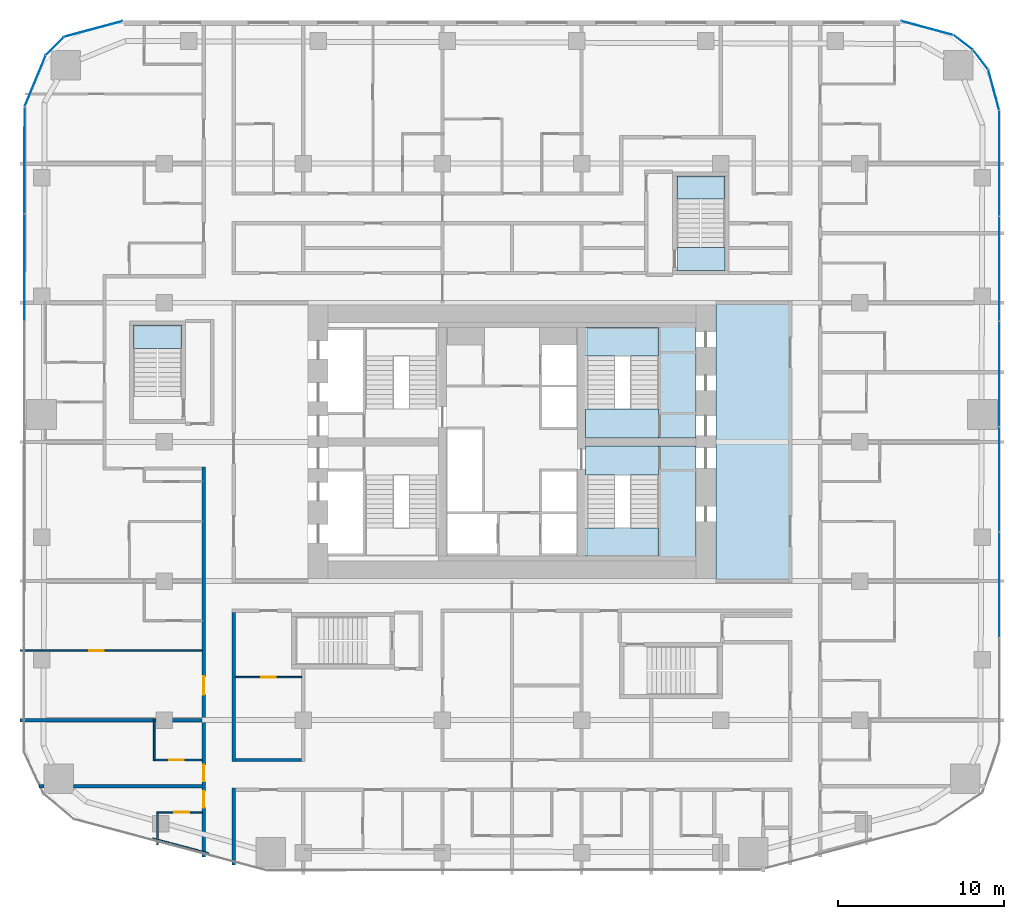
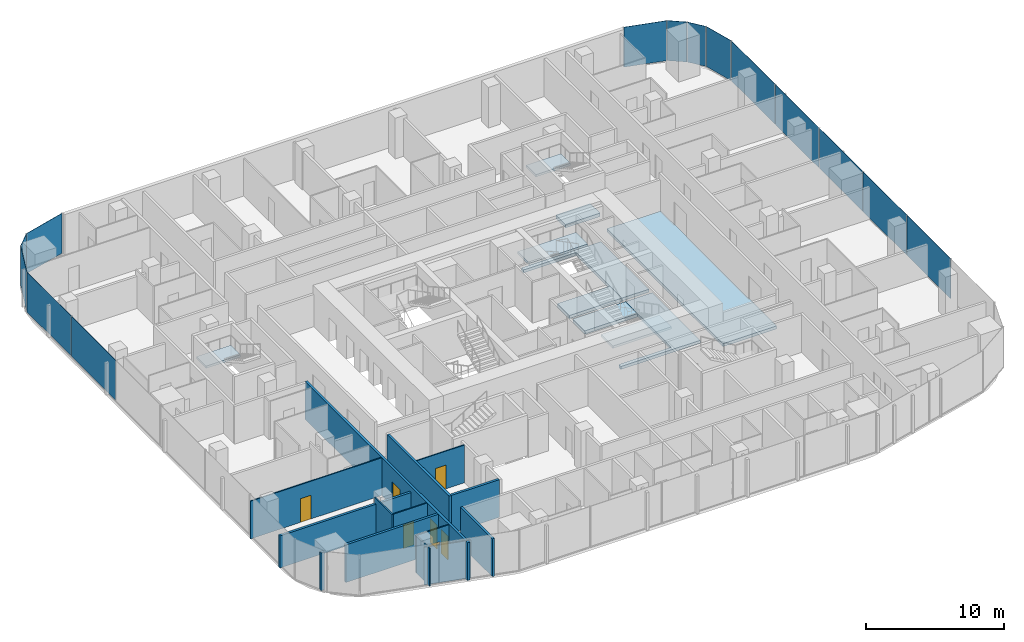
# One storey, part 15 of 26: 14 plates, 14 walls, 10 slabs, 7 doors, 7 openings, 13 elements without a shape of their own.
"""IFC4 building model written with IfcOpenShell, lengths in metres."""

from ifc_helpers import new_model, si_unit, direction, frame, frame_2d, origin, origin_2d, place, context, subcontext, project, spatial, polyline, rectangle, outline, extrude, material, layer, layer_set, type_object, element, fill, aggregate, save


model = new_model("IFC4")

# Units and contexts
model_context = context("Model", 3, precision=1e-05, world=origin(), true_north=direction((0.0, 1.0)))
body_context = subcontext(model_context, "Body", "Model", "MODEL_VIEW")
ifc_project = project(units=[si_unit("LENGTHUNIT", "METRE"), si_unit("AREAUNIT", "SQUARE_METRE"), si_unit("VOLUMEUNIT", "CUBIC_METRE"), si_unit("PLANEANGLEUNIT", "RADIAN"), si_unit("MASSUNIT", "GRAM", prefix="KILO")], contexts=[model_context])

# Site, building, storey
site_placement = place(None, origin())
site = spatial("IfcSite", under=ifc_project, at=site_placement, CompositionType="ELEMENT")
building_placement = place(site_placement, origin())
building = spatial("IfcBuilding", under=site, at=building_placement, Name="Marenta Gate Hotel Tower", CompositionType="ELEMENT")
storey_placement = place(building_placement, frame((0.0, 0.0, 65.300048828125)))
storey = spatial("IfcBuildingStorey", under=building, at=storey_placement, Name="L14", CompositionType="ELEMENT", Elevation=65.300048828125)

# Slabs
ifc_material_1 = material(Name="Concrete C40", Category="concrete")
ifc_layer_1 = layer(ifc_material_1, 0.260009765625)
ifc_layer_set_1 = layer_set([ifc_layer_1], Name="Concrete C40")
slab_type_1 = type_object("IfcSlabType", Name="Core floor slab 260", PredefinedType="FLOOR", material=ifc_layer_set_1)
slab_1_placement = place(storey_placement, frame((0.0, 0.0, -0.260009765625)))
element("IfcSlab", 1, at=slab_1_placement, inside=storey, type_object=slab_type_1, Name="L14-CF-1", PredefinedType="FLOOR", context=body_context, shape_type="SweptSolid", body=[
    extrude(outline(polyline([(12.300048828125, 0.0), (12.300048828125, 16.800048828125), (16.800048828125, 16.800048828125), (16.800048828125, 0.0), (12.300048828125, 0.0)])), origin(), (0.0, 0.0, 1.0), 0.260009765625),
])
slab_2_placement = place(storey_placement, frame((0.0, 0.0, -0.260009765625)))
element("IfcSlab", 2, at=slab_2_placement, inside=storey, type_object=slab_type_1, Name="L14-CF-2", PredefinedType="FLOOR", context=body_context, shape_type="SweptSolid", body=[
    extrude(outline(polyline([(8.85009765625, 1.5), (8.85009765625, 6.39990234375), (8.85009765625, 8.10009765625), (8.85009765625, 8.14990234375), (11.10009765625, 8.14990234375), (11.10009765625, 1.199951171875), (4.449951171875, 1.199951171875), (4.449951171875, 1.5), (8.85009765625, 1.5)])), origin(), (0.0, 0.0, 1.0), 0.260009765625),
])
slab_3_placement = place(storey_placement, frame((0.0, 0.0, -0.260009765625)))
element("IfcSlab", 3, at=slab_3_placement, inside=storey, type_object=slab_type_1, Name="L14-CF-3", PredefinedType="FLOOR", context=body_context, shape_type="SweptSolid", body=[
    extrude(outline(polyline([(8.85009765625, 15.300048828125), (4.449951171875, 15.300048828125), (4.449951171875, 15.60009765625), (11.10009765625, 15.60009765625), (11.10009765625, 8.64990234375), (8.85009765625, 8.64990234375), (8.85009765625, 8.699951171875), (8.85009765625, 10.39990234375), (8.85009765625, 15.300048828125)])), origin(), (0.0, 0.0, 1.0), 0.260009765625),
])

# Stair, slab
ifc_material_2 = material(Name="Concrete C40", Category="concrete")
stair_type_1 = type_object("IfcStairType", Name="Core exit stair 1700 wide", PredefinedType="HALF_TURN_STAIR", material=ifc_material_2)
stair_1_placement = place(storey_placement, origin())
stair_1 = element("IfcStair", 4, at=stair_1_placement, inside=storey, type_object=stair_type_1, Name="Exit stair 3", PredefinedType="HALF_TURN_STAIR")
ifc_material_3 = material(Name="Concrete C40", Category="concrete")
ifc_layer_2 = layer(ifc_material_3, 0.199951171875)
ifc_layer_set_2 = layer_set([ifc_layer_2], Name="Concrete C40")
slab_type_2 = type_object("IfcSlabType", Name="Core stair landing 200", PredefinedType="LANDING", material=ifc_layer_set_2)
slab_4_placement = place(storey_placement, frame((0.0, 0.0, 1.599853515625)))
slab_4 = element("IfcSlab", 5, at=slab_4_placement, type_object=slab_type_2, Name="SL-200 ST3 landing 1", PredefinedType="LANDING", context=body_context, shape_type="SweptSolid", body=[
    extrude(outline(polyline([(3.949951171875, 1.5), (8.85009765625, 1.5), (8.85009765625, 3.2099609375), (3.949951171875, 3.2099609375), (3.949951171875, 1.5)])), origin(), (0.0, 0.0, 1.0), 0.2001953125),
])
aggregate(stair_1, [slab_4])

stair_2_placement = place(storey_placement, origin())
stair_2 = element("IfcStair", 6, at=stair_2_placement, inside=storey, type_object=stair_type_1, Name="Exit stair 4", PredefinedType="HALF_TURN_STAIR")
slab_5_placement = place(storey_placement, frame((0.0, 0.0, 1.599853515625)))
slab_5 = element("IfcSlab", 7, at=slab_5_placement, type_object=slab_type_2, Name="SL-200 ST4 landing 1", PredefinedType="LANDING", context=body_context, shape_type="SweptSolid", body=[
    extrude(outline(polyline([(3.949951171875, 13.590087890625), (8.85009765625, 13.590087890625), (8.85009765625, 15.300048828125), (3.949951171875, 15.300048828125), (3.949951171875, 13.590087890625)])), origin(), (0.0, 0.0, 1.0), 0.2001953125),
])
aggregate(stair_2, [slab_5])

# Curtain wall, plate
ifc_material_4 = material(Name="Tinted insulated glass in bronze anodised frame", Category="glass")
ifc_layer_3 = layer(ifc_material_4, 0.1201171875)
ifc_layer_set_3 = layer_set([ifc_layer_3], Name="Tinted insulated glass in bronze anodised frame")
curtain_wall_type = type_object("IfcCurtainWallType", Name="Tower unitised curtain wall CW1", PredefinedType="NOTDEFINED", material=ifc_layer_set_3)
curtain_wall_1_placement = place(storey_placement, origin())
curtain_wall_1 = element("IfcCurtainWall", 8, at=curtain_wall_1_placement, inside=storey, type_object=curtain_wall_type, Name="CW1 run G00", PredefinedType="NOTDEFINED")
ifc_material_5 = material(Name="Tinted insulated glass", Category="glass")
ifc_layer_4 = layer(ifc_material_5, 0.028076171875)
ifc_layer_set_4 = layer_set([ifc_layer_4], Name="Tinted insulated glass")
plate_type = type_object("IfcPlateType", Name="Glass panel CW1 28 mm tinted insulated unit", PredefinedType="CURTAIN_PANEL", material=ifc_layer_set_4)
plate_1_placement = place(storey_placement, frame((-25.277099609375, 33.3232421875, 0.059814453125), z_axis=(0.0, 0.0, 1.0), x_axis=(-0.965930485164, -0.258801657317, 0.0)))
plate_1 = element("IfcPlate", 9, at=plate_1_placement, type_object=plate_type, Name="CW1 panel 1.1", PredefinedType="CURTAIN_PANEL", context=body_context, shape_type="SweptSolid", body=[
    extrude(rectangle(XDim=3.64990234375, YDim=0.028076171875, at=origin_2d()), origin(), (0.0, 0.0, 1.0), 3.5400390625),
])
aggregate(curtain_wall_1, [plate_1])

curtain_wall_2_placement = place(storey_placement, origin())
curtain_wall_2 = element("IfcCurtainWall", 10, at=curtain_wall_2_placement, inside=storey, type_object=curtain_wall_type, Name="CW1 run G01", PredefinedType="NOTDEFINED")
plate_2_placement = place(storey_placement, frame((-27.606689453125, 32.2841796875, 0.059814453125), z_axis=(0.0, 0.0, 1.0), x_axis=(-0.707106781187, -0.707106781187, 0.0)))
plate_2 = element("IfcPlate", 11, at=plate_2_placement, type_object=plate_type, Name="CW1 panel 1.1", PredefinedType="CURTAIN_PANEL", context=body_context, shape_type="SweptSolid", body=[
    extrude(rectangle(XDim=1.48291015625, YDim=0.028076171875, at=origin_2d()), origin(), (0.0, 0.0, 1.0), 3.5400390625),
])
aggregate(curtain_wall_2, [plate_2])

curtain_wall_3_placement = place(storey_placement, origin())
curtain_wall_3 = element("IfcCurtainWall", 12, at=curtain_wall_3_placement, inside=storey, type_object=curtain_wall_type, Name="CW1 run G02", PredefinedType="NOTDEFINED")
plate_3_placement = place(storey_placement, frame((-28.783203125, 30.185302734375, 0.059814453125), z_axis=(0.0, 0.0, 1.0), x_axis=(-0.382670050581, -0.923885075314, 0.0)))
plate_3 = element("IfcPlate", 13, at=plate_3_placement, type_object=plate_type, Name="CW1 panel 1.1", PredefinedType="CURTAIN_PANEL", context=body_context, shape_type="SweptSolid", body=[
    extrude(rectangle(XDim=3.28857421875, YDim=0.028076171875, at=origin_2d()), origin(), (0.0, 0.0, 1.0), 3.5400390625),
])
aggregate(curtain_wall_3, [plate_3])

# Curtain wall, plates
curtain_wall_4_placement = place(storey_placement, origin())
curtain_wall_4 = element("IfcCurtainWall", 14, at=curtain_wall_4_placement, inside=storey, type_object=curtain_wall_type, Name="CW1 run G03", PredefinedType="NOTDEFINED")
plate_4_placement = place(storey_placement, frame((-29.41748046875, 25.406005859375, 0.059814453125), z_axis=(0.0, 0.0, 1.0), x_axis=(-0.00156642217, -0.99999877316, 0.0)))
plate_4 = element("IfcPlate", 15, at=plate_4_placement, type_object=plate_type, Name="CW1 panel 1.1", PredefinedType="CURTAIN_PANEL", context=body_context, shape_type="SweptSolid", body=[
    extrude(rectangle(XDim=6.400390625, YDim=0.028076171875, at=origin_2d()), origin(), (0.0, 0.0, 1.0), 3.5400390625),
])
plate_5_placement = place(storey_placement, frame((-29.427490234375, 18.9306640625, 0.059814453125), z_axis=(0.0, 0.0, 1.0), x_axis=(-0.00156642217, -0.99999877316, 0.0)))
plate_5 = element("IfcPlate", 16, at=plate_5_placement, type_object=plate_type, Name="CW1 panel 2.1", PredefinedType="CURTAIN_PANEL", context=body_context, shape_type="SweptSolid", body=[
    extrude(rectangle(XDim=6.430419921875, YDim=0.028076171875, at=origin_2d()), origin(), (0.0, 0.0, 1.0), 3.5400390625),
])
aggregate(curtain_wall_4, [plate_4, plate_5])

curtain_wall_5_placement = place(storey_placement, origin())
curtain_wall_5 = element("IfcCurtainWall", 17, at=curtain_wall_5_placement, inside=storey, type_object=curtain_wall_type, Name="CW1 run G11", PredefinedType="NOTDEFINED")
plate_6_placement = place(storey_placement, frame((29.4140625, -0.22802734375, 0.059814453125), z_axis=(0.0, 0.0, 1.0), x_axis=(0.0, 1.0, 0.0)))
plate_6 = element("IfcPlate", 18, at=plate_6_placement, type_object=plate_type, Name="CW1 panel 2.1", PredefinedType="CURTAIN_PANEL", context=body_context, shape_type="SweptSolid", body=[
    extrude(rectangle(XDim=6.300048828125, YDim=0.028076171875, at=origin_2d()), origin(), (0.0, 0.0, 1.0), 3.5400390625),
])
plate_7_placement = place(storey_placement, frame((29.4140625, 6.132080078125, 0.059814453125), z_axis=(0.0, 0.0, 1.0), x_axis=(0.0, 1.0, 0.0)))
plate_7 = element("IfcPlate", 19, at=plate_7_placement, type_object=plate_type, Name="CW1 panel 3.1", PredefinedType="CURTAIN_PANEL", context=body_context, shape_type="SweptSolid", body=[
    extrude(rectangle(XDim=6.300048828125, YDim=0.028076171875, at=origin_2d()), origin(), (0.0, 0.0, 1.0), 3.5400390625),
])
plate_8_placement = place(storey_placement, frame((29.4140625, 12.491943359375, 0.059814453125), z_axis=(0.0, 0.0, 1.0), x_axis=(0.0, 1.0, 0.0)))
plate_8 = element("IfcPlate", 20, at=plate_8_placement, type_object=plate_type, Name="CW1 panel 4.1", PredefinedType="CURTAIN_PANEL", context=body_context, shape_type="SweptSolid", body=[
    extrude(rectangle(XDim=6.300048828125, YDim=0.028076171875, at=origin_2d()), origin(), (0.0, 0.0, 1.0), 3.5400390625),
])
plate_9_placement = place(storey_placement, frame((29.4140625, 18.851806640625, 0.059814453125), z_axis=(0.0, 0.0, 1.0), x_axis=(0.0, 1.0, 0.0)))
plate_9 = element("IfcPlate", 21, at=plate_9_placement, type_object=plate_type, Name="CW1 panel 5.1", PredefinedType="CURTAIN_PANEL", context=body_context, shape_type="SweptSolid", body=[
    extrude(rectangle(XDim=6.300048828125, YDim=0.028076171875, at=origin_2d()), origin(), (0.0, 0.0, 1.0), 3.5400390625),
])
plate_10_placement = place(storey_placement, frame((29.4140625, 25.226806640625, 0.059814453125), z_axis=(0.0, 0.0, 1.0), x_axis=(0.0, 1.0, 0.0)))
plate_10 = element("IfcPlate", 22, at=plate_10_placement, type_object=plate_type, Name="CW1 panel 6.1", PredefinedType="CURTAIN_PANEL", context=body_context, shape_type="SweptSolid", body=[
    extrude(rectangle(XDim=6.330078125, YDim=0.028076171875, at=origin_2d()), origin(), (0.0, 0.0, 1.0), 3.5400390625),
])
aggregate(curtain_wall_5, [plate_6, plate_7, plate_8, plate_9, plate_10])

# Curtain wall, plate
curtain_wall_6_placement = place(storey_placement, origin())
curtain_wall_6 = element("IfcCurtainWall", 23, at=curtain_wall_6_placement, inside=storey, type_object=curtain_wall_type, Name="CW1 run G12", PredefinedType="NOTDEFINED")
plate_11_placement = place(storey_placement, frame((29.074951171875, 29.657470703125, 0.059814453125), z_axis=(0.0, 0.0, 1.0), x_axis=(-0.258821981125, 0.965925039579, 0.0)))
plate_11 = element("IfcPlate", 24, at=plate_11_placement, type_object=plate_type, Name="CW1 panel 1.1", PredefinedType="CURTAIN_PANEL", context=body_context, shape_type="SweptSolid", body=[
    extrude(rectangle(XDim=2.50048828125, YDim=0.028076171875, at=origin_2d()), origin(), (0.0, 0.0, 1.0), 3.5400390625),
])
aggregate(curtain_wall_6, [plate_11])

curtain_wall_7_placement = place(storey_placement, origin())
curtain_wall_7 = element("IfcCurtainWall", 25, at=curtain_wall_7_placement, inside=storey, type_object=curtain_wall_type, Name="CW1 run G13", PredefinedType="NOTDEFINED")
plate_12_placement = place(storey_placement, frame((28.280029296875, 31.47900390625, 0.059814453125), z_axis=(0.0, 0.0, 1.0), x_axis=(-0.608781405318, 0.79333801153, 0.0)))
plate_12 = element("IfcPlate", 26, at=plate_12_placement, type_object=plate_type, Name="CW1 panel 1.1", PredefinedType="CURTAIN_PANEL", context=body_context, shape_type="SweptSolid", body=[
    extrude(rectangle(XDim=1.427978515625, YDim=0.028076171875, at=origin_2d()), origin(), (0.0, 0.0, 1.0), 3.5400390625),
])
aggregate(curtain_wall_7, [plate_12])

curtain_wall_8_placement = place(storey_placement, origin())
curtain_wall_8 = element("IfcCurtainWall", 27, at=curtain_wall_8_placement, inside=storey, type_object=curtain_wall_type, Name="CW1 run G14", PredefinedType="NOTDEFINED")
plate_13_placement = place(storey_placement, frame((27.2314453125, 32.5166015625, 0.059814453125), z_axis=(0.0, 0.0, 1.0), x_axis=(-0.79333801153, 0.608781405318, 0.0)))
plate_13 = element("IfcPlate", 28, at=plate_13_placement, type_object=plate_type, Name="CW1 panel 1.1", PredefinedType="CURTAIN_PANEL", context=body_context, shape_type="SweptSolid", body=[
    extrude(rectangle(XDim=1.427978515625, YDim=0.028076171875, at=origin_2d()), origin(), (0.0, 0.0, 1.0), 3.5400390625),
])
aggregate(curtain_wall_8, [plate_13])

curtain_wall_9_placement = place(storey_placement, origin())
curtain_wall_9 = element("IfcCurtainWall", 29, at=curtain_wall_9_placement, inside=storey, type_object=curtain_wall_type, Name="CW1 run G15", PredefinedType="NOTDEFINED")
plate_14_placement = place(storey_placement, frame((25.060791015625, 33.381103515625, 0.059814453125), z_axis=(0.0, 0.0, 1.0), x_axis=(-0.965928970532, 0.258807310344, 0.0)))
plate_14 = element("IfcPlate", 30, at=plate_14_placement, type_object=plate_type, Name="CW1 panel 1.1", PredefinedType="CURTAIN_PANEL", context=body_context, shape_type="SweptSolid", body=[
    extrude(rectangle(XDim=3.20166015625, YDim=0.028076171875, at=origin_2d()), origin(), (0.0, 0.0, 1.0), 3.5400390625),
])
aggregate(curtain_wall_9, [plate_14])

# Stair, slab
ifc_material_6 = material(Name="Concrete C40", Category="concrete")
stair_type_2 = type_object("IfcStairType", Name="Remote exit stair 1400 wide", PredefinedType="HALF_TURN_STAIR", material=ifc_material_6)
stair_3_placement = place(storey_placement, origin())
stair_3 = element("IfcStair", 31, at=stair_3_placement, inside=storey, type_object=stair_type_2, Name="Exit stair RS-Z1-3", PredefinedType="HALF_TURN_STAIR")
ifc_material_7 = material(Name="Concrete C40", Category="concrete")
ifc_layer_5 = layer(ifc_material_7, 0.199951171875)
ifc_layer_set_5 = layer_set([ifc_layer_5], Name="Concrete C40")
slab_type_3 = type_object("IfcSlabType", Name="Remote stair landing 200", PredefinedType="LANDING", material=ifc_layer_set_5)
slab_6_placement = place(storey_placement, frame((0.0, 0.0, 1.599853515625)))
slab_6 = element("IfcSlab", 32, at=slab_6_placement, type_object=slab_type_3, Name="RL-200 RS-Z1-3 landing 1", PredefinedType="LANDING", context=body_context, shape_type="SweptSolid", body=[
    extrude(outline(polyline([(-22.85009765625, 14.050048828125), (-19.949951171875, 14.050048828125), (-19.949951171875, 15.449951171875), (-22.85009765625, 15.449951171875), (-22.85009765625, 14.050048828125)])), origin(), (0.0, 0.0, 1.0), 0.2001953125),
])
aggregate(stair_3, [slab_6])

stair_4_placement = place(storey_placement, origin())
stair_4 = element("IfcStair", 33, at=stair_4_placement, inside=storey, type_object=stair_type_2, Name="Exit stair RS-Z1-4", PredefinedType="HALF_TURN_STAIR")
slab_7_placement = place(storey_placement, frame((0.0, 0.0, 1.599853515625)))
slab_7 = element("IfcSlab", 34, at=slab_7_placement, type_object=slab_type_3, Name="RL-200 RS-Z1-4 landing 1", PredefinedType="LANDING", context=body_context, shape_type="SweptSolid", body=[
    extrude(outline(polyline([(9.949951171875, 23.050048828125), (12.85009765625, 23.050048828125), (12.85009765625, 24.449951171875), (9.949951171875, 24.449951171875), (9.949951171875, 23.050048828125)])), origin(), (0.0, 0.0, 1.0), 0.2001953125),
])
aggregate(stair_4, [slab_7])

# Slabs
ifc_material_8 = material(Name="Concrete C40", Category="concrete")
ifc_layer_6 = layer(ifc_material_8, 0.300048828125)
ifc_layer_set_6 = layer_set([ifc_layer_6], Name="Concrete C40")
slab_type_4 = type_object("IfcSlabType", Name="Stair floor landing slab 300", PredefinedType="FLOOR", material=ifc_layer_set_6)
slab_8_placement = place(storey_placement, frame((0.0, 0.0, -0.300048828125)))
element("IfcSlab", 35, at=slab_8_placement, inside=storey, type_object=slab_type_4, Name="L14-CL-ST3-1", PredefinedType="FLOOR", context=body_context, shape_type="SweptSolid", body=[
    extrude(outline(polyline([(4.449951171875, 6.39990234375), (4.449951171875, 8.14990234375), (8.85009765625, 8.14990234375), (8.85009765625, 8.10009765625), (8.85009765625, 6.39990234375), (4.449951171875, 6.39990234375)])), origin(), (0.0, 0.0, 1.0), 0.300048828125),
])
slab_9_placement = place(storey_placement, frame((0.0, 0.0, -0.300048828125)))
element("IfcSlab", 36, at=slab_9_placement, inside=storey, type_object=slab_type_4, Name="L14-CL-ST4-1", PredefinedType="FLOOR", context=body_context, shape_type="SweptSolid", body=[
    extrude(outline(polyline([(4.449951171875, 8.64990234375), (4.449951171875, 10.39990234375), (8.85009765625, 10.39990234375), (8.85009765625, 8.699951171875), (8.85009765625, 8.64990234375), (4.449951171875, 8.64990234375)])), origin(), (0.0, 0.0, 1.0), 0.300048828125),
])
slab_10_placement = place(storey_placement, frame((0.0, 0.0, -0.300048828125)))
element("IfcSlab", 37, at=slab_10_placement, inside=storey, type_object=slab_type_4, Name="L14-RS-Z1-4-CL", PredefinedType="FLOOR", context=body_context, shape_type="SweptSolid", body=[
    extrude(outline(polyline([(12.85009765625, 18.75), (12.85009765625, 20.14990234375), (9.949951171875, 20.14990234375), (9.949951171875, 18.75), (12.85009765625, 18.75)])), origin(), (0.0, 0.0, 1.0), 0.300048828125),
])

# Walls
ifc_material_9 = material(Name="Gypsum board on steel stud", Category="steel")
ifc_layer_7 = layer(ifc_material_9, 0.199951171875)
ifc_layer_set_7 = layer_set([ifc_layer_7], Name="Gypsum board on steel stud")
wall_type_1 = type_object("IfcWallType", Name="Room corridor wall 200 EI 60", PredefinedType="PARTITIONING", material=ifc_layer_set_7)
wall_1_placement = place(storey_placement, frame((-16.699951171875, -10.800048828125, 0.0), z_axis=(0.0, 0.0, 1.0), x_axis=(1.0, 0.0, 0.0)))
element("IfcWall", 38, at=wall_1_placement, inside=storey, type_object=wall_type_1, Name="L14-PTN-W040", PredefinedType="PARTITIONING", context=body_context, shape_type="SweptSolid", body=[
    extrude(rectangle(XDim=4.0, YDim=0.199951171875, at=frame_2d((2.0, 0.0))), origin(), (0.0, 0.0, 1.0), 3.33984375),
])
wall_2_placement = place(storey_placement, frame((-16.800048828125, -17.14306640625, 0.0), z_axis=(0.0, 0.0, 1.0), x_axis=(0.0, 1.0, 0.0)))
element("IfcWall", 39, at=wall_2_placement, inside=storey, type_object=wall_type_1, Name="L14-PTN-W106", PredefinedType="PARTITIONING", context=body_context, shape_type="SweptSolid", body=[
    extrude(rectangle(XDim=4.64306640625, YDim=0.199951171875, at=frame_2d((2.321533203125, 0.0))), origin(), (0.0, 0.0, 1.0), 3.33984375),
])
wall_3_placement = place(storey_placement, frame((-16.800048828125, -10.89990234375, 0.0), z_axis=(0.0, 0.0, 1.0), x_axis=(0.0, 1.0, 0.0)))
element("IfcWall", 40, at=wall_3_placement, inside=storey, type_object=wall_type_1, Name="L14-PTN-W107", PredefinedType="PARTITIONING", context=body_context, shape_type="SweptSolid", body=[
    extrude(rectangle(XDim=9.0, YDim=0.199951171875, at=frame_2d((4.5, 0.0))), origin(), (0.0, 0.0, 1.0), 3.33984375),
])

# Wall, openings, doors
wall_4_placement = place(storey_placement, frame((-18.60009765625, -16.6650390625, 0.0), z_axis=(0.0, 0.0, 1.0), x_axis=(0.0, 1.0, 0.0)))
wall_4 = element("IfcWall", 41, at=wall_4_placement, inside=storey, type_object=wall_type_1, Name="L14-PTN-W115", PredefinedType="PARTITIONING", context=body_context, shape_type="SweptSolid", body=[
    extrude(rectangle(XDim=23.56494140625, YDim=0.199951171875, at=frame_2d((11.782470703125, 0.0))), origin(), (0.0, 0.0, 1.0), 3.33984375),
])
opening_1_placement = place(wall_4_placement, frame((2.990966796875, 0.0, 0.0)))
opening_1 = element("IfcOpeningElement", 42, at=opening_1_placement, cuts=wall_4, Name="Opening G05-47", PredefinedType="OPENING", context=body_context, shape_type="SweptSolid", body=[
    extrude(rectangle(XDim=1.0, YDim=2.10009765625, at=frame_2d((0.5, 1.050048828125))), frame((0.0, 0.10009765625, 0.0), z_axis=(0.0, -1.0, 0.0), x_axis=(1.0, 0.0, 0.0)), (0.0, 0.0, 1.0), 0.199951171875),
])
opening_2_placement = place(wall_4_placement, frame((4.573974609375, 0.0, 0.0)))
opening_2 = element("IfcOpeningElement", 43, at=opening_2_placement, cuts=wall_4, Name="Opening G05-49", PredefinedType="OPENING", context=body_context, shape_type="SweptSolid", body=[
    extrude(rectangle(XDim=1.0, YDim=2.10009765625, at=frame_2d((0.5, 1.050048828125))), frame((0.0, 0.10009765625, 0.0), z_axis=(0.0, -1.0, 0.0), x_axis=(1.0, 0.0, 0.0)), (0.0, 0.0, 1.0), 0.199951171875),
])
opening_3_placement = place(wall_4_placement, frame((9.81494140625, 0.0, 0.0)))
opening_3 = element("IfcOpeningElement", 44, at=opening_3_placement, cuts=wall_4, Name="Opening G05-51", PredefinedType="OPENING", context=body_context, shape_type="SweptSolid", body=[
    extrude(rectangle(XDim=1.10009765625, YDim=2.10009765625, at=frame_2d((0.550048828125, 1.050048828125))), frame((0.0, 0.10009765625, 0.0), z_axis=(0.0, -1.0, 0.0), x_axis=(1.0, 0.0, 0.0)), (0.0, 0.0, 1.0), 0.199951171875),
])
ifc_material_10 = material(Name="Timber door leaf", Category="wood")
door_type_1 = type_object("IfcDoorType", Name="Guest room door 1000x2100 EI 30", OperationType="NOTDEFINED", PredefinedType="DOOR", material=ifc_material_10)
door_1_placement = place(opening_1_placement, origin())
door_1 = element("IfcDoor", 45, at=door_1_placement, inside=storey, type_object=door_type_1, Name="L14-PD-D047", OperationType="SINGLE_SWING_RIGHT", OverallHeight=2.10009765625, OverallWidth=1.0, PredefinedType="DOOR", context=body_context, shape_type="SweptSolid", body=[
    extrude(rectangle(XDim=1.0, YDim=2.10009765625, at=frame_2d((0.5, 1.050048828125))), frame((0.0, 0.02490234375, 0.0), z_axis=(0.0, -1.0, 0.0), x_axis=(1.0, 0.0, 0.0)), (0.0, 0.0, 1.0), 0.050048828125),
])
fill(opening_1, door_1)
door_2_placement = place(opening_2_placement, origin())
door_2 = element("IfcDoor", 46, at=door_2_placement, inside=storey, type_object=door_type_1, Name="L14-PD-D049", OperationType="SINGLE_SWING_RIGHT", OverallHeight=2.10009765625, OverallWidth=1.0, PredefinedType="DOOR", context=body_context, shape_type="SweptSolid", body=[
    extrude(rectangle(XDim=1.0, YDim=2.10009765625, at=frame_2d((0.5, 1.050048828125))), frame((0.0, 0.02490234375, 0.0), z_axis=(0.0, -1.0, 0.0), x_axis=(1.0, 0.0, 0.0)), (0.0, 0.0, 1.0), 0.050048828125),
])
fill(opening_2, door_2)
ifc_material_11 = material(Name="Timber door leaf", Category="wood")
door_type_2 = type_object("IfcDoorType", Name="Guest room door 1100x2100 EI 30", OperationType="NOTDEFINED", PredefinedType="DOOR", material=ifc_material_11)
door_3_placement = place(opening_3_placement, origin())
door_3 = element("IfcDoor", 47, at=door_3_placement, inside=storey, type_object=door_type_2, Name="L14-PD-D051", OperationType="SINGLE_SWING_RIGHT", OverallHeight=2.10009765625, OverallWidth=1.10009765625, PredefinedType="DOOR", context=body_context, shape_type="SweptSolid", body=[
    extrude(rectangle(XDim=1.10009765625, YDim=2.10009765625, at=frame_2d((0.550048828125, 1.050048828125))), frame((0.0, 0.02490234375, 0.0), z_axis=(0.0, -1.0, 0.0), x_axis=(1.0, 0.0, 0.0)), (0.0, 0.0, 1.0), 0.050048828125),
])
fill(opening_3, door_3)

# Wall
ifc_material_12 = material(Name="Gypsum board on steel stud", Category="steel")
ifc_layer_8 = layer(ifc_material_12, 0.10009765625)
ifc_layer_set_8 = layer_set([ifc_layer_8], Name="Gypsum board on steel stud")
wall_type_2 = type_object("IfcWallType", Name="Room partition 100", PredefinedType="PARTITIONING", material=ifc_layer_set_8)
wall_5_placement = place(storey_placement, frame((-21.68994140625, -15.544921875, 0.0), z_axis=(0.0, 0.0, 1.0), x_axis=(0.966542484633, -0.25650657964, 0.0)))
element("IfcWall", 48, at=wall_5_placement, inside=storey, type_object=wall_type_2, Name="L14-PTN-W012", PredefinedType="PARTITIONING", context=body_context, shape_type="SweptSolid", body=[
    extrude(rectangle(XDim=3.496826171875, YDim=0.10009765625, at=frame_2d((1.74853515625, 0.0))), origin(), (0.0, 0.0, 1.0), 3.33984375),
])

# Wall, opening, door
wall_6_placement = place(storey_placement, frame((-21.449951171875, -13.965087890625, 0.0), z_axis=(0.0, 0.0, 1.0), x_axis=(1.0, 0.0, 0.0)))
wall_6 = element("IfcWall", 49, at=wall_6_placement, inside=storey, type_object=wall_type_2, Name="L14-PTN-W029", PredefinedType="PARTITIONING", context=body_context, shape_type="SweptSolid", body=[
    extrude(rectangle(XDim=2.75, YDim=0.10009765625, at=frame_2d((1.375, 0.0))), origin(), (0.0, 0.0, 1.0), 3.33984375),
])
opening_4_placement = place(wall_6_placement, frame((1.06005859375, 0.0, 0.0)))
opening_4 = element("IfcOpeningElement", 50, at=opening_4_placement, cuts=wall_6, Name="Opening G05-48", PredefinedType="OPENING", context=body_context, shape_type="SweptSolid", body=[
    extrude(rectangle(XDim=0.89990234375, YDim=2.10009765625, at=frame_2d((0.449951171875, 1.050048828125))), frame((0.0, 0.050048828125, 0.0), z_axis=(0.0, -1.0, 0.0), x_axis=(1.0, 0.0, 0.0)), (0.0, 0.0, 1.0), 0.10009765625),
])
ifc_material_13 = material(Name="Timber door leaf", Category="wood")
door_type_3 = type_object("IfcDoorType", Name="Guest bathroom door 900x2100", OperationType="NOTDEFINED", PredefinedType="DOOR", material=ifc_material_13)
door_4_placement = place(opening_4_placement, origin())
door_4 = element("IfcDoor", 51, at=door_4_placement, inside=storey, type_object=door_type_3, Name="L14-PD-D048", OperationType="SINGLE_SWING_RIGHT", OverallHeight=2.10009765625, OverallWidth=0.89990234375, PredefinedType="DOOR", context=body_context, shape_type="SweptSolid", body=[
    extrude(rectangle(XDim=0.89990234375, YDim=2.10009765625, at=frame_2d((0.449951171875, 1.050048828125))), frame((0.0, 0.02490234375, 0.0), z_axis=(0.0, -1.0, 0.0), x_axis=(1.0, 0.0, 0.0)), (0.0, 0.0, 1.0), 0.050048828125),
])
fill(opening_4, door_4)

wall_7_placement = place(storey_placement, frame((-21.550048828125, -10.800048828125, 0.0), z_axis=(0.0, 0.0, 1.0), x_axis=(1.0, 0.0, 0.0)))
wall_7 = element("IfcWall", 52, at=wall_7_placement, inside=storey, type_object=wall_type_2, Name="L14-PTN-W038", PredefinedType="PARTITIONING", context=body_context, shape_type="SweptSolid", body=[
    extrude(rectangle(XDim=2.85009765625, YDim=0.10009765625, at=frame_2d((1.425048828125, 0.0))), origin(), (0.0, 0.0, 1.0), 3.33984375),
])
opening_5_placement = place(wall_7_placement, frame((0.85009765625, 0.0, 0.0)))
opening_5 = element("IfcOpeningElement", 53, at=opening_5_placement, cuts=wall_7, Name="Opening G05-50", PredefinedType="OPENING", context=body_context, shape_type="SweptSolid", body=[
    extrude(rectangle(XDim=0.89990234375, YDim=2.10009765625, at=frame_2d((0.449951171875, 1.050048828125))), frame((0.0, 0.050048828125, 0.0), z_axis=(0.0, -1.0, 0.0), x_axis=(1.0, 0.0, 0.0)), (0.0, 0.0, 1.0), 0.10009765625),
])
door_5_placement = place(opening_5_placement, origin())
door_5 = element("IfcDoor", 54, at=door_5_placement, inside=storey, type_object=door_type_3, Name="L14-PD-D050", OperationType="SINGLE_SWING_LEFT", OverallHeight=2.10009765625, OverallWidth=0.89990234375, PredefinedType="DOOR", context=body_context, shape_type="SweptSolid", body=[
    extrude(rectangle(XDim=0.89990234375, YDim=2.10009765625, at=frame_2d((0.449951171875, 1.050048828125))), frame((0.0, 0.02490234375, 0.0), z_axis=(0.0, -1.0, 0.0), x_axis=(1.0, 0.0, 0.0)), (0.0, 0.0, 1.0), 0.050048828125),
])
fill(opening_5, door_5)

wall_8_placement = place(storey_placement, frame((-16.699951171875, -5.800048828125, 0.0), z_axis=(0.0, 0.0, 1.0), x_axis=(1.0, 0.0, 0.0)))
wall_8 = element("IfcWall", 55, at=wall_8_placement, inside=storey, type_object=wall_type_2, Name="L14-PTN-W054", PredefinedType="PARTITIONING", context=body_context, shape_type="SweptSolid", body=[
    extrude(rectangle(XDim=4.0, YDim=0.10009765625, at=frame_2d((2.0, 0.0))), origin(), (0.0, 0.0, 1.0), 3.33984375),
])
opening_6_placement = place(wall_8_placement, frame((1.550048828125, 0.0, 0.0)))
opening_6 = element("IfcOpeningElement", 56, at=opening_6_placement, cuts=wall_8, Name="Opening G05-03", PredefinedType="OPENING", context=body_context, shape_type="SweptSolid", body=[
    extrude(rectangle(XDim=0.89990234375, YDim=2.10009765625, at=frame_2d((0.449951171875, 1.050048828125))), frame((0.0, 0.050048828125, 0.0), z_axis=(0.0, -1.0, 0.0), x_axis=(1.0, 0.0, 0.0)), (0.0, 0.0, 1.0), 0.10009765625),
])
ifc_material_14 = material(Name="Timber door leaf", Category="wood")
door_type_4 = type_object("IfcDoorType", Name="Room inner door 900x2100", OperationType="NOTDEFINED", PredefinedType="DOOR", material=ifc_material_14)
door_6_placement = place(opening_6_placement, origin())
door_6 = element("IfcDoor", 57, at=door_6_placement, inside=storey, type_object=door_type_4, Name="L14-PD-D003", OperationType="SINGLE_SWING_LEFT", OverallHeight=2.10009765625, OverallWidth=0.89990234375, PredefinedType="DOOR", context=body_context, shape_type="SweptSolid", body=[
    extrude(rectangle(XDim=0.89990234375, YDim=2.10009765625, at=frame_2d((0.449951171875, 1.050048828125))), frame((0.0, 0.02490234375, 0.0), z_axis=(0.0, -1.0, 0.0), x_axis=(1.0, 0.0, 0.0)), (0.0, 0.0, 1.0), 0.050048828125),
])
fill(opening_6, door_6)

wall_9_placement = place(storey_placement, frame((-29.699951171875, -4.199951171875, 0.0), z_axis=(0.0, 0.0, 1.0), x_axis=(1.0, 0.0, 0.0)))
wall_9 = element("IfcWall", 58, at=wall_9_placement, inside=storey, type_object=wall_type_2, Name="L14-PTN-W060", PredefinedType="PARTITIONING", context=body_context, shape_type="SweptSolid", body=[
    extrude(rectangle(XDim=11.0, YDim=0.10009765625, at=frame_2d((5.5, 0.0))), origin(), (0.0, 0.0, 1.0), 3.33984375),
])
opening_7_placement = place(wall_9_placement, frame((4.169921875, 0.0, 0.0)))
opening_7 = element("IfcOpeningElement", 59, at=opening_7_placement, cuts=wall_9, Name="Opening G05-52", PredefinedType="OPENING", context=body_context, shape_type="SweptSolid", body=[
    extrude(rectangle(XDim=0.89990234375, YDim=2.10009765625, at=frame_2d((0.449951171875, 1.050048828125))), frame((0.0, 0.050048828125, 0.0), z_axis=(0.0, -1.0, 0.0), x_axis=(1.0, 0.0, 0.0)), (0.0, 0.0, 1.0), 0.10009765625),
])
door_7_placement = place(opening_7_placement, origin())
door_7 = element("IfcDoor", 60, at=door_7_placement, inside=storey, type_object=door_type_4, Name="L14-PD-D052", OperationType="SINGLE_SWING_LEFT", OverallHeight=2.10009765625, OverallWidth=0.89990234375, PredefinedType="DOOR", context=body_context, shape_type="SweptSolid", body=[
    extrude(rectangle(XDim=0.89990234375, YDim=2.10009765625, at=frame_2d((0.449951171875, 1.050048828125))), frame((0.0, 0.02490234375, 0.0), z_axis=(0.0, -1.0, 0.0), x_axis=(1.0, 0.0, 0.0)), (0.0, 0.0, 1.0), 0.050048828125),
])
fill(opening_7, door_7)

# Walls
wall_10_placement = place(storey_placement, frame((-21.39990234375, -15.922119140625, 0.0), z_axis=(0.0, 0.0, 1.0), x_axis=(0.0, 1.0, 0.0)))
element("IfcWall", 61, at=wall_10_placement, inside=storey, type_object=wall_type_2, Name="L14-PTN-W125", PredefinedType="PARTITIONING", context=body_context, shape_type="SweptSolid", body=[
    extrude(rectangle(XDim=1.9072265625, YDim=0.10009765625, at=frame_2d((0.95361328125, 0.0))), origin(), (0.0, 0.0, 1.0), 3.33984375),
])
wall_11_placement = place(storey_placement, frame((-21.60009765625, -10.85009765625, 0.0), z_axis=(0.0, 0.0, 1.0), x_axis=(0.0, 1.0, 0.0)))
element("IfcWall", 62, at=wall_11_placement, inside=storey, type_object=wall_type_2, Name="L14-PTN-W126", PredefinedType="PARTITIONING", context=body_context, shape_type="SweptSolid", body=[
    extrude(rectangle(XDim=2.550048828125, YDim=0.10009765625, at=frame_2d((1.27490234375, 0.0))), origin(), (0.0, 0.0, 1.0), 3.33984375),
])
ifc_material_15 = material(Name="Gypsum board on steel stud", Category="steel")
ifc_layer_9 = layer(ifc_material_15, 0.199951171875)
ifc_layer_set_9 = layer_set([ifc_layer_9], Name="Gypsum board on steel stud")
wall_type_3 = type_object("IfcWallType", Name="Room party wall 200 EI 60", PredefinedType="PARTITIONING", material=ifc_layer_set_9)
wall_12_placement = place(storey_placement, frame((-28.552978515625, -12.383056640625, 0.0), z_axis=(0.0, 0.0, 1.0), x_axis=(1.0, 0.0, 0.0)))
element("IfcWall", 63, at=wall_12_placement, inside=storey, type_object=wall_type_3, Name="L14-PTN-W035", PredefinedType="PARTITIONING", context=body_context, shape_type="SweptSolid", body=[
    extrude(rectangle(XDim=0.2900390625, YDim=0.199951171875, at=frame_2d((0.14501953125, 0.0))), origin(), (0.0, 0.0, 1.0), 3.33984375),
])
wall_13_placement = place(storey_placement, frame((-26.462890625, -12.383056640625, 0.0), z_axis=(0.0, 0.0, 1.0), x_axis=(1.0, 0.0, 0.0)))
element("IfcWall", 64, at=wall_13_placement, inside=storey, type_object=wall_type_3, Name="L14-PTN-W155", PredefinedType="PARTITIONING", context=body_context, shape_type="SweptSolid", body=[
    extrude(rectangle(XDim=7.762939453125, YDim=0.199951171875, at=frame_2d((3.88134765625, 0.0))), origin(), (0.0, 0.0, 1.0), 3.33984375),
])
wall_14_placement = place(storey_placement, frame((-29.699951171875, -8.39990234375, 0.0), z_axis=(0.0, 0.0, 1.0), x_axis=(1.0, 0.0, 0.0)))
element("IfcWall", 65, at=wall_14_placement, inside=storey, type_object=wall_type_3, Name="L14-PTN-W045", PredefinedType="PARTITIONING", context=body_context, shape_type="SweptSolid", body=[
    extrude(rectangle(XDim=11.0, YDim=0.199951171875, at=frame_2d((5.5, 0.0))), origin(), (0.0, 0.0, 1.0), 2.83984375),
])

save(model, "model.ifc")
